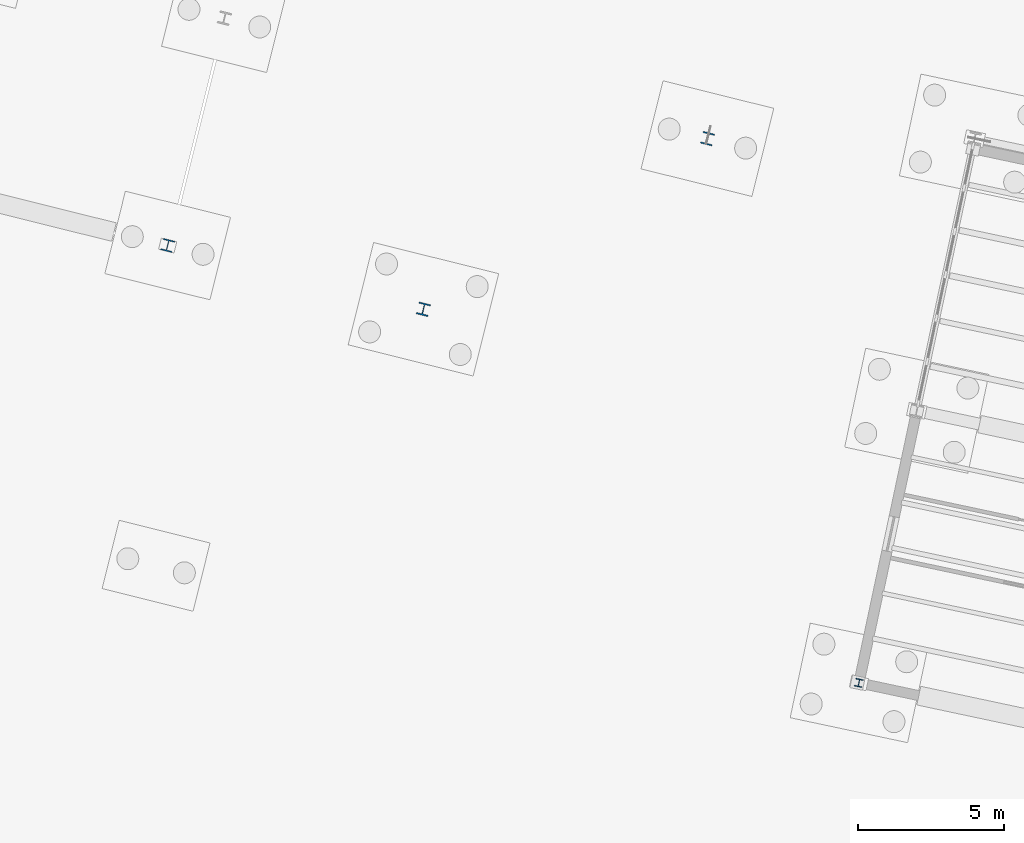
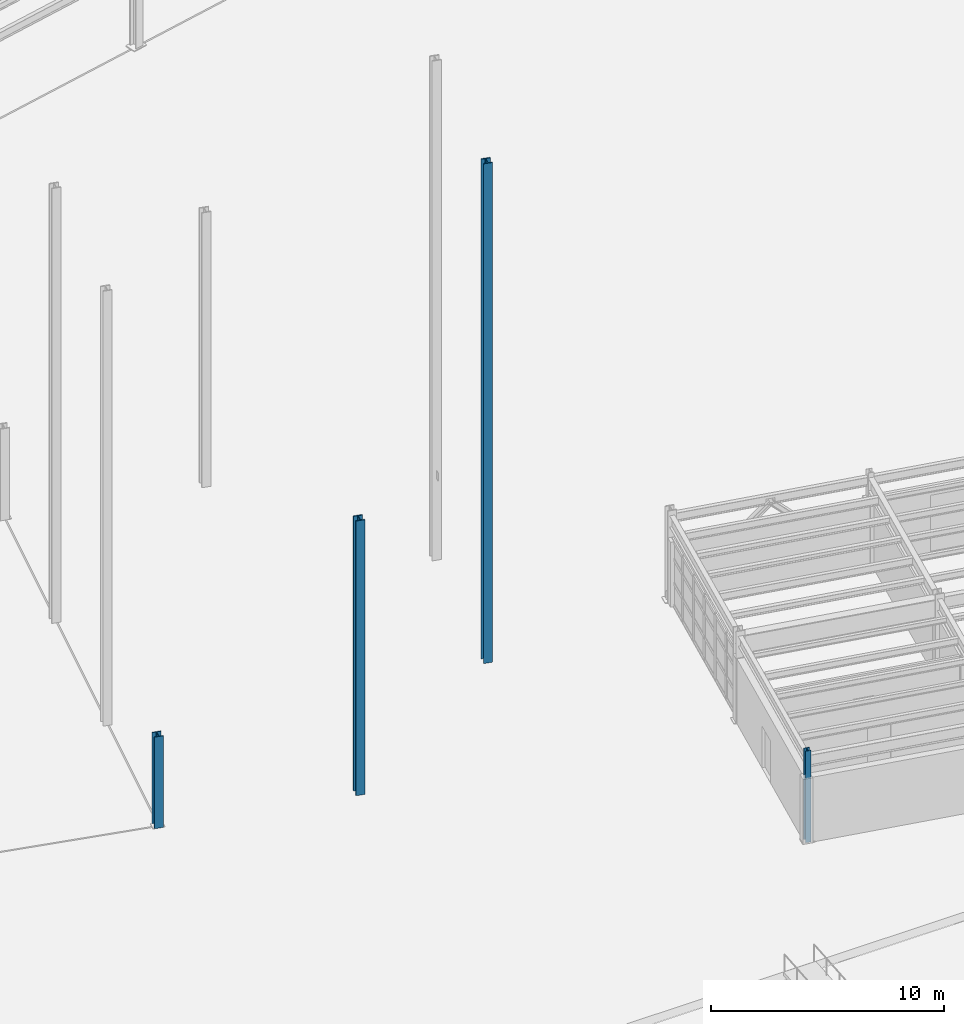
# One storey, part 16 of 108: 4 columns.
"""IFC4 building model written with IfcOpenShell, lengths in metres."""

from ifc_helpers import new_model, si_unit, direction, frame, origin, origin_2d, place, context, subcontext, project, spatial, i_section, extrude, material, material_profile, profile_set, type_object, element, save


model = new_model("IFC4")

# Units and contexts
model_context = context("Model", 3, precision=1e-05, world=origin(), true_north=direction((0.0, 1.0)))
body_context = subcontext(model_context, "Body", "Model", "MODEL_VIEW")
ifc_project = project(units=[si_unit("LENGTHUNIT", "METRE"), si_unit("AREAUNIT", "SQUARE_METRE"), si_unit("VOLUMEUNIT", "CUBIC_METRE"), si_unit("PLANEANGLEUNIT", "RADIAN"), si_unit("MASSUNIT", "GRAM", prefix="KILO")], contexts=[model_context])

# Site, building, storey
site_placement = place(None, origin())
site = spatial("IfcSite", under=ifc_project, at=site_placement, CompositionType="ELEMENT")
building_placement = place(site_placement, origin())
building = spatial("IfcBuilding", under=site, at=building_placement, Name="Vireo Bluff Cable Station", CompositionType="ELEMENT")
storey_placement = place(building_placement, origin())
storey = spatial("IfcBuildingStorey", under=building, at=storey_placement, Name="L00", CompositionType="ELEMENT", Elevation=0.0)

# Columns
ifc_material = material(Name="Steel ASTM A992 Gr. 50", Category="steel")
ifc_material_profile_1 = material_profile(ifc_material, i_section(OverallWidth=0.40087890625, OverallDepth=0.39892578125, WebThickness=0.02490234375, FlangeThickness=0.03955078125, FilletRadius=0.014892578125, at=origin_2d()), Name="W14X211")
ifc_profile_set_1 = profile_set([ifc_material_profile_1], Name="Steel ASTM A992 Gr. 50")
column_type_1 = type_object("IfcColumnType", Name="ECOL-W14X211", PredefinedType="COLUMN", material=ifc_profile_set_1)
column_1_placement = place(storey_placement, frame((106.39599609375, 24.936279296875, 0.0), z_axis=(0.0, 0.0, 1.0), x_axis=(0.970295726276, -0.2419218956, 0.0)))
element("IfcColumn", 1, at=column_1_placement, inside=storey, type_object=column_type_1, Name="V1 L00 column 113", PredefinedType="COLUMN", context=body_context, shape_type="SweptSolid", body=[
    extrude(i_section(OverallWidth=0.40087890625, OverallDepth=0.39892578125, WebThickness=0.02490234375, FlangeThickness=0.03955078125, FilletRadius=0.014892578125, at=origin_2d()), origin(), (0.0, 0.0, 1.0), 4.800048828125),
])
ifc_material_profile_2 = material_profile(ifc_material, i_section(OverallWidth=0.406005859375, OverallDepth=0.4169921875, WebThickness=0.02978515625, FlangeThickness=0.048095703125, FilletRadius=0.014892578125, at=origin_2d()), Name="W14X257")
ifc_profile_set_2 = profile_set([ifc_material_profile_2], Name="Steel ASTM A992 Gr. 50")
column_type_2 = type_object("IfcColumnType", Name="ECOL-W14X257", PredefinedType="COLUMN", material=ifc_profile_set_2)
column_2_placement = place(storey_placement, frame((115.128662109375, 22.759033203125, 0.0), z_axis=(0.0, 0.0, 1.0), x_axis=(0.970295726276, -0.2419218956, 0.0)))
element("IfcColumn", 2, at=column_2_placement, inside=storey, type_object=column_type_2, Name="Cableway departure portal pier 1", PredefinedType="COLUMN", context=body_context, shape_type="SweptSolid", body=[
    extrude(i_section(OverallWidth=0.406005859375, OverallDepth=0.4169921875, WebThickness=0.02978515625, FlangeThickness=0.048095703125, FilletRadius=0.014892578125, at=origin_2d()), origin(), (0.0, 0.0, 1.0), 14.39990234375),
])
column_3_placement = place(storey_placement, frame((124.826416015625, 28.5859375, 0.0), z_axis=(0.0, 0.0, 1.0), x_axis=(0.970295726276, -0.2419218956, 0.0)))
element("IfcColumn", 3, at=column_3_placement, inside=storey, type_object=column_type_2, Name="Aerial line launch pylon 1", PredefinedType="COLUMN", context=body_context, shape_type="SweptSolid", body=[
    extrude(i_section(OverallWidth=0.406005859375, OverallDepth=0.4169921875, WebThickness=0.02978515625, FlangeThickness=0.048095703125, FilletRadius=0.014892578125, at=origin_2d()), origin(), (0.0, 0.0, 1.0), 26.199951171875),
])
ifc_material_profile_3 = material_profile(ifc_material, i_section(OverallWidth=0.257080078125, OverallDepth=0.263916015625, WebThickness=0.011962890625, FlangeThickness=0.01953125, FilletRadius=0.009033203125, at=origin_2d()), Name="W10X68")
ifc_profile_set_3 = profile_set([ifc_material_profile_3], Name="Steel ASTM A992 Gr. 50")
column_type_3 = type_object("IfcColumnType", Name="PIL-W10X68", PredefinedType="PILASTER", material=ifc_profile_set_3)
column_4_placement = place(storey_placement, frame((130.0, 10.0, 0.0), z_axis=(0.0, 0.0, 1.0), x_axis=(0.978147600734, -0.207911690818, 0.0)))
element("IfcColumn", 4, at=column_4_placement, inside=storey, type_object=column_type_3, Name="V5E L00 column 386", PredefinedType="PILASTER", context=body_context, shape_type="SweptSolid", body=[
    extrude(i_section(OverallWidth=0.257080078125, OverallDepth=0.263916015625, WebThickness=0.011962890625, FlangeThickness=0.01953125, FilletRadius=0.009033203125, at=origin_2d()), origin(), (0.0, 0.0, 1.0), 4.800048828125),
])

save(model, "model.ifc")
